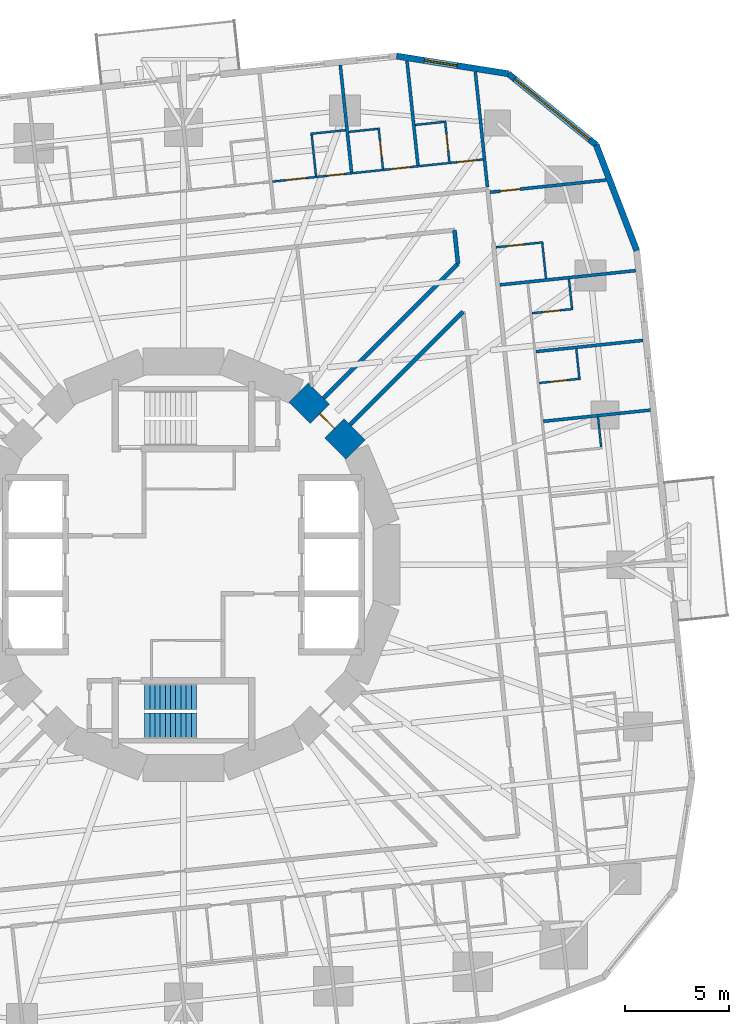
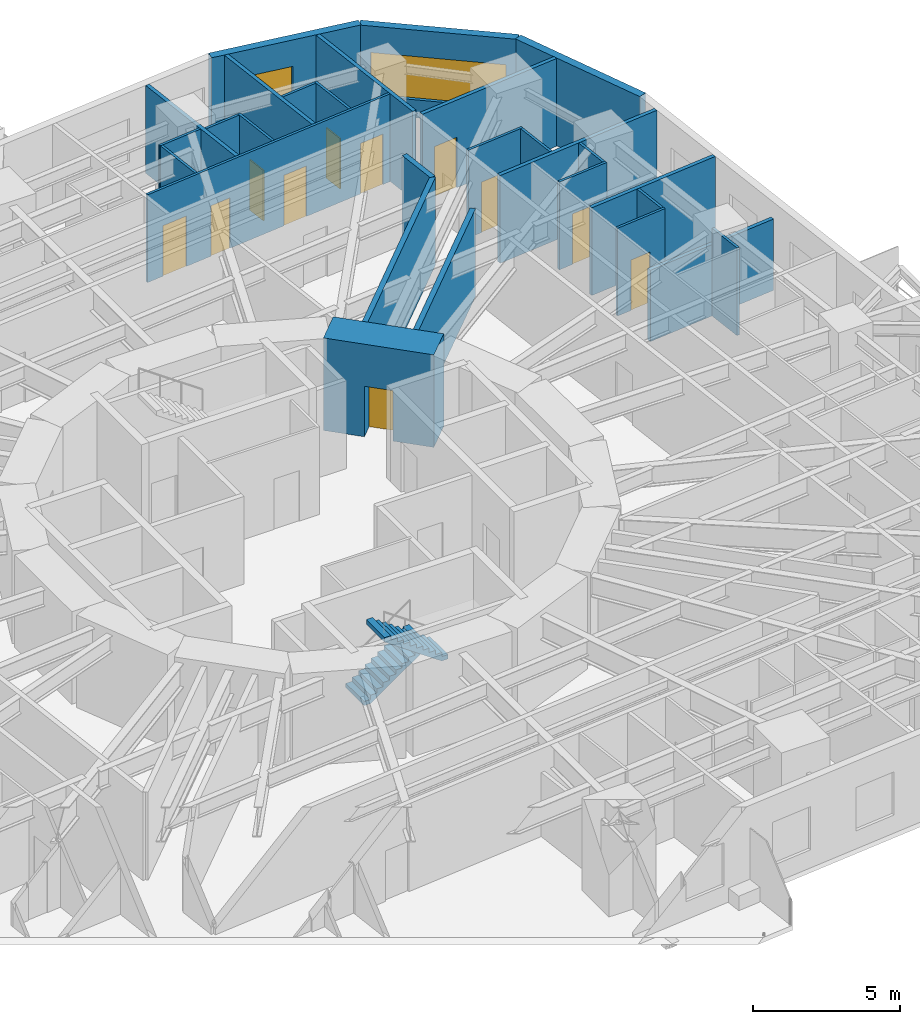
# One storey, part 12 of 15: 28 walls, 11 doors, 2 stair flights, 2 windows, 13 openings, 1 element without a shape of its own.
"""IFC4 building model written with IfcOpenShell, lengths in metres."""

from ifc_helpers import new_model, si_unit, direction, frame, frame_2d, origin, place, context, subcontext, project, spatial, polyline, rectangle, outline, extrude, material, layer, layer_set, type_object, element, fill, aggregate, save


model = new_model("IFC4")

# Units and contexts
model_context = context("Model", 3, precision=1e-05, world=origin(), true_north=direction((0.0, 1.0)))
body_context = subcontext(model_context, "Body", "Model", "MODEL_VIEW")
ifc_project = project(units=[si_unit("LENGTHUNIT", "METRE"), si_unit("AREAUNIT", "SQUARE_METRE"), si_unit("VOLUMEUNIT", "CUBIC_METRE"), si_unit("PLANEANGLEUNIT", "RADIAN"), si_unit("MASSUNIT", "GRAM", prefix="KILO")], contexts=[model_context])

# Site, building, storey
site_placement = place(None, origin())
site = spatial("IfcSite", under=ifc_project, at=site_placement, CompositionType="ELEMENT")
building_placement = place(site_placement, origin())
building = spatial("IfcBuilding", under=site, at=building_placement, Name="Nakasero Lantern House", CompositionType="ELEMENT")
storey_placement = place(building_placement, frame((0.0, 0.0, 64.35009765625)))
storey = spatial("IfcBuildingStorey", under=building, at=storey_placement, Name="L15", CompositionType="ELEMENT", Elevation=64.35009765625)

# Wall, openings, doors
ifc_material_1 = material(Name="Blockwork", Category="masonry")
ifc_layer_1 = layer(ifc_material_1, 0.10009765625)
ifc_layer_set_1 = layer_set([ifc_layer_1], Name="Cluster hall wall 100")
wall_type_1 = type_object("IfcWallType", Name="Cluster hall wall 100", PredefinedType="PARTITIONING", material=ifc_layer_set_1)
wall_1_placement = place(storey_placement, frame((14.458740234375, 19.568603515625, 0.0), z_axis=(0.0, 0.0, 1.0), x_axis=(-0.994520493056, -0.104541804513, 0.0)))
wall_1 = element("IfcWall", 1, at=wall_1_placement, inside=storey, type_object=wall_type_1, Name="Cluster hall wall L15 HW1-0", PredefinedType="PARTITIONING", context=body_context, shape_type="SweptSolid", body=[
    extrude(rectangle(XDim=10.2216796875, YDim=0.10009765625, at=frame_2d((5.11083984375, 0.0))), origin(), (0.0, 0.0, 1.0), 3.64990234375),
])
opening_1_placement = place(wall_1_placement, frame((8.57568359375, 0.0, 0.0)))
opening_1 = element("IfcOpeningElement", 2, at=opening_1_placement, cuts=wall_1, Name="Opening D03", PredefinedType="OPENING", context=body_context, shape_type="SweptSolid", body=[
    extrude(rectangle(XDim=1.0, YDim=2.10009765625, at=frame_2d((0.5, 1.050048828125))), frame((0.0, 0.070068359375, 0.0), z_axis=(0.0, -1.0, 0.0), x_axis=(1.0, 0.0, 0.0)), (0.0, 0.0, 1.0), 0.14013671875),
])
opening_2_placement = place(wall_1_placement, frame((6.75048828125, 0.0, 0.0)))
opening_2 = element("IfcOpeningElement", 3, at=opening_2_placement, cuts=wall_1, Name="Opening D02", PredefinedType="OPENING", context=body_context, shape_type="SweptSolid", body=[
    extrude(rectangle(XDim=0.800048828125, YDim=2.10009765625, at=frame_2d((0.39990234375, 1.050048828125))), frame((0.0, 0.070068359375, 0.0), z_axis=(0.0, -1.0, 0.0), x_axis=(1.0, 0.0, 0.0)), (0.0, 0.0, 1.0), 0.14013671875),
])
opening_3_placement = place(wall_1_placement, frame((0.300048828125, 0.0, 0.0)))
opening_3 = element("IfcOpeningElement", 4, at=opening_3_placement, cuts=wall_1, Name="Opening D01", PredefinedType="OPENING", context=body_context, shape_type="SweptSolid", body=[
    extrude(rectangle(XDim=0.949951171875, YDim=2.10009765625, at=frame_2d((0.47509765625, 1.050048828125))), frame((0.0, 0.070068359375, 0.0), z_axis=(0.0, -1.0, 0.0), x_axis=(1.0, 0.0, 0.0)), (0.0, 0.0, 1.0), 0.14013671875),
])
opening_4_placement = place(wall_1_placement, frame((3.525390625, 0.0, 0.0)))
opening_4 = element("IfcOpeningElement", 5, at=opening_4_placement, cuts=wall_1, Name="Opening D01", PredefinedType="OPENING", context=body_context, shape_type="SweptSolid", body=[
    extrude(rectangle(XDim=0.949951171875, YDim=2.10009765625, at=frame_2d((0.47509765625, 1.050048828125))), frame((0.0, 0.070068359375, 0.0), z_axis=(0.0, -1.0, 0.0), x_axis=(1.0, 0.0, 0.0)), (0.0, 0.0, 1.0), 0.14013671875),
])
ifc_material_2 = material(Name="Timber C24", Category="wood")
door_type_1 = type_object("IfcDoorType", Name="Bedroom door FD30S 950", OperationType="SINGLE_SWING_LEFT", PredefinedType="DOOR", material=ifc_material_2)
door_1_placement = place(opening_3_placement, origin())
door_1 = element("IfcDoor", 6, at=door_1_placement, inside=storey, type_object=door_type_1, Name="Door L15 D1-00", OperationType="SINGLE_SWING_LEFT", OverallHeight=2.10009765625, OverallWidth=0.949951171875, PredefinedType="DOOR", context=body_context, shape_type="SweptSolid", body=[
    extrude(rectangle(XDim=0.949951171875, YDim=2.10009765625, at=frame_2d((0.47509765625, 1.050048828125))), frame((0.0, 0.02490234375, 0.0), z_axis=(0.0, -1.0, 0.0), x_axis=(1.0, 0.0, 0.0)), (0.0, 0.0, 1.0), 0.050048828125),
])
fill(opening_3, door_1)
door_2_placement = place(opening_4_placement, origin())
door_2 = element("IfcDoor", 7, at=door_2_placement, inside=storey, type_object=door_type_1, Name="Door L15 D1-01", OperationType="SINGLE_SWING_LEFT", OverallHeight=2.10009765625, OverallWidth=0.949951171875, PredefinedType="DOOR", context=body_context, shape_type="SweptSolid", body=[
    extrude(rectangle(XDim=0.949951171875, YDim=2.10009765625, at=frame_2d((0.47509765625, 1.050048828125))), frame((0.0, 0.02490234375, 0.0), z_axis=(0.0, -1.0, 0.0), x_axis=(1.0, 0.0, 0.0)), (0.0, 0.0, 1.0), 0.050048828125),
])
fill(opening_4, door_2)
ifc_material_3 = material(Name="Timber C24", Category="wood")
door_type_2 = type_object("IfcDoorType", Name="En-suite door 800", OperationType="SINGLE_SWING_RIGHT", PredefinedType="DOOR", material=ifc_material_3)
door_3_placement = place(opening_2_placement, origin())
door_3 = element("IfcDoor", 8, at=door_3_placement, inside=storey, type_object=door_type_2, Name="Door L15 DSH1-0", OperationType="SINGLE_SWING_RIGHT", OverallHeight=2.10009765625, OverallWidth=0.800048828125, PredefinedType="DOOR", context=body_context, shape_type="SweptSolid", body=[
    extrude(rectangle(XDim=0.800048828125, YDim=2.10009765625, at=frame_2d((0.39990234375, 1.050048828125))), frame((0.0, 0.02490234375, 0.0), z_axis=(0.0, -1.0, 0.0), x_axis=(1.0, 0.0, 0.0)), (0.0, 0.0, 1.0), 0.050048828125),
])
fill(opening_2, door_3)
ifc_material_4 = material(Name="Timber C24", Category="wood")
door_type_3 = type_object("IfcDoorType", Name="Lounge door FD30S 1000", OperationType="SINGLE_SWING_LEFT", PredefinedType="DOOR", material=ifc_material_4)
door_4_placement = place(opening_1_placement, origin())
door_4 = element("IfcDoor", 9, at=door_4_placement, inside=storey, type_object=door_type_3, Name="Door L15 DH1-0", OperationType="SINGLE_SWING_RIGHT", OverallHeight=2.10009765625, OverallWidth=1.0, PredefinedType="DOOR", context=body_context, shape_type="SweptSolid", body=[
    extrude(rectangle(XDim=1.0, YDim=2.10009765625, at=frame_2d((0.5, 1.050048828125))), frame((0.0, 0.02490234375, 0.0), z_axis=(0.0, -1.0, 0.0), x_axis=(1.0, 0.0, 0.0)), (0.0, 0.0, 1.0), 0.050048828125),
])
fill(opening_1, door_4)

# Wall, opening, door
ifc_material_5 = material(Name="Concrete C50/60", Category="concrete")
ifc_layer_2 = layer(ifc_material_5, 1.300048828125)
ifc_layer_set_2 = layer_set([ifc_layer_2], Name="Core wall 1300")
wall_type_2 = type_object("IfcWallType", Name="Core wall 1300", PredefinedType="SHEAR", material=ifc_layer_set_2)
wall_2_placement = place(storey_placement, frame((8.314697265625, 5.5556640625, 0.0), z_axis=(0.0, 0.0, 1.0), x_axis=(-0.707106781187, 0.707106781187, 0.0)))
wall_2 = element("IfcWall", 10, at=wall_2_placement, inside=storey, type_object=wall_type_2, Name="Core wall L15 facet 2", PredefinedType="SHEAR", context=body_context, shape_type="SweptSolid", body=[
    extrude(rectangle(XDim=3.90185546875, YDim=1.300048828125, at=frame_2d((1.950927734375, 0.0))), origin(), (0.0, 0.0, 1.0), 3.849853515625),
])
opening_5_placement = place(wall_2_placement, frame((1.450927734375, 0.0, 0.0)))
opening_5 = element("IfcOpeningElement", 11, at=opening_5_placement, cuts=wall_2, Name="Opening D05", PredefinedType="OPENING", context=body_context, shape_type="SweptSolid", body=[
    extrude(rectangle(XDim=1.0, YDim=2.10009765625, at=frame_2d((0.5, 1.050048828125))), frame((0.0, 0.669921875, 0.0), z_axis=(0.0, -1.0, 0.0), x_axis=(1.0, 0.0, 0.0)), (0.0, 0.0, 1.0), 1.340087890625),
])
ifc_material_6 = material(Name="Timber C24", Category="wood")
door_type_4 = type_object("IfcDoorType", Name="Core door FD60S 1000", OperationType="SINGLE_SWING_LEFT", PredefinedType="DOOR", material=ifc_material_6)
door_5_placement = place(opening_5_placement, origin())
door_5 = element("IfcDoor", 12, at=door_5_placement, inside=storey, type_object=door_type_4, Name="Door L15 D-CORE02", OperationType="SINGLE_SWING_LEFT", OverallHeight=2.10009765625, OverallWidth=1.0, PredefinedType="DOOR", context=body_context, shape_type="SweptSolid", body=[
    extrude(rectangle(XDim=1.0, YDim=2.10009765625, at=frame_2d((0.5, 1.050048828125))), frame((0.0, 0.02490234375, 0.0), z_axis=(0.0, -1.0, 0.0), x_axis=(1.0, 0.0, 0.0)), (0.0, 0.0, 1.0), 0.050048828125),
])
fill(opening_5, door_5)

# Walls
ifc_material_7 = material(Name="Blockwork", Category="masonry")
ifc_layer_3 = layer(ifc_material_7, 0.199951171875)
ifc_layer_set_3 = layer_set([ifc_layer_3], Name="Corridor wall 200")
wall_type_3 = type_object("IfcWallType", Name="Corridor wall 200", PredefinedType="PARTITIONING", material=ifc_layer_set_3)
wall_3_placement = place(storey_placement, frame((13.254150390625, 14.52685546875, 0.0), z_axis=(0.0, 0.0, 1.0), x_axis=(-0.104475313001, 0.99452748025, 0.0)))
element("IfcWall", 13, at=wall_3_placement, inside=storey, type_object=wall_type_3, Name="Corridor wall L15 IW0-1", PredefinedType="PARTITIONING", context=body_context, shape_type="SweptSolid", body=[
    extrude(rectangle(XDim=1.63818359375, YDim=0.199951171875, at=frame_2d((0.819091796875, 0.0))), origin(), (0.0, 0.0, 1.0), 3.64990234375),
])
wall_4_placement = place(storey_placement, frame((6.758544921875, 8.03125, 0.0), z_axis=(0.0, 0.0, 1.0), x_axis=(0.707106781187, 0.707106781187, 0.0)))
element("IfcWall", 14, at=wall_4_placement, inside=storey, type_object=wall_type_3, Name="Corridor wall L15 PS02a", PredefinedType="PARTITIONING", context=body_context, shape_type="SweptSolid", body=[
    extrude(rectangle(XDim=9.186279296875, YDim=0.199951171875, at=frame_2d((4.59326171875, 0.0))), origin(), (0.0, 0.0, 1.0), 3.64990234375),
])
wall_5_placement = place(storey_placement, frame((8.03125, 6.758544921875, 0.0), z_axis=(0.0, 0.0, 1.0), x_axis=(0.707122575573, 0.707090986447, 0.0)))
element("IfcWall", 15, at=wall_5_placement, inside=storey, type_object=wall_type_3, Name="Corridor wall L15 PS02b", PredefinedType="PARTITIONING", context=body_context, shape_type="SweptSolid", body=[
    extrude(rectangle(XDim=7.728515625, YDim=0.199951171875, at=frame_2d((3.8642578125, 0.0))), origin(), (0.0, 0.0, 1.0), 3.64990234375),
])
ifc_material_8 = material(Name="Blockwork", Category="masonry")
ifc_layer_4 = layer(ifc_material_8, 0.10009765625)
ifc_layer_set_4 = layer_set([ifc_layer_4], Name="En-suite wall 100")
wall_type_4 = type_object("IfcWallType", Name="En-suite wall 100", PredefinedType="PARTITIONING", material=ifc_layer_set_4)
wall_6_placement = place(storey_placement, frame((20.166259765625, 5.68408203125, 0.0), z_axis=(0.0, 0.0, 1.0), x_axis=(-0.10455332221, 0.994519282274, 0.0)))
element("IfcWall", 16, at=wall_6_placement, inside=storey, type_object=wall_type_4, Name="En-suite wall L15 EE0-05", PredefinedType="PARTITIONING", context=body_context, shape_type="SweptSolid", body=[
    extrude(rectangle(XDim=1.4501953125, YDim=0.10009765625, at=frame_2d((0.72509765625, 0.0))), origin(), (0.0, 0.0, 1.0), 3.64990234375),
])

# Wall, opening, door
wall_7_placement = place(storey_placement, frame((17.177001953125, 8.774169921875, 0.0), z_axis=(0.0, 0.0, 1.0), x_axis=(0.99452550138, 0.104494148666, 0.0)))
wall_7 = element("IfcWall", 17, at=wall_7_placement, inside=storey, type_object=wall_type_4, Name="En-suite wall L15 ES0-06", PredefinedType="PARTITIONING", context=body_context, shape_type="SweptSolid", body=[
    extrude(rectangle(XDim=2.0, YDim=0.10009765625, at=frame_2d((1.0, 0.0))), origin(), (0.0, 0.0, 1.0), 3.64990234375),
])
opening_6_placement = place(wall_7_placement, frame((0.550048828125, 0.0, 0.0)))
opening_6 = element("IfcOpeningElement", 18, at=opening_6_placement, cuts=wall_7, Name="Opening D02", PredefinedType="OPENING", context=body_context, shape_type="SweptSolid", body=[
    extrude(rectangle(XDim=0.800048828125, YDim=2.10009765625, at=frame_2d((0.39990234375, 1.050048828125))), frame((0.0, 0.070068359375, 0.0), z_axis=(0.0, -1.0, 0.0), x_axis=(1.0, 0.0, 0.0)), (0.0, 0.0, 1.0), 0.14013671875),
])
door_6_placement = place(opening_6_placement, origin())
door_6 = element("IfcDoor", 19, at=door_6_placement, inside=storey, type_object=door_type_2, Name="Door L15 DE0-06", OperationType="SINGLE_SWING_LEFT", OverallHeight=2.10009765625, OverallWidth=0.800048828125, PredefinedType="DOOR", context=body_context, shape_type="SweptSolid", body=[
    extrude(rectangle(XDim=0.800048828125, YDim=2.10009765625, at=frame_2d((0.39990234375, 1.050048828125))), frame((0.0, 0.02490234375, 0.0), z_axis=(0.0, -1.0, 0.0), x_axis=(1.0, 0.0, 0.0)), (0.0, 0.0, 1.0), 0.050048828125),
])
fill(opening_6, door_6)

# Wall
wall_8_placement = place(storey_placement, frame((19.111083984375, 9.027587890625, 0.0), z_axis=(0.0, 0.0, 1.0), x_axis=(-0.104630319263, 0.994511184598, 0.0)))
element("IfcWall", 20, at=wall_8_placement, inside=storey, type_object=wall_type_4, Name="En-suite wall L15 EE0-06", PredefinedType="PARTITIONING", context=body_context, shape_type="SweptSolid", body=[
    extrude(rectangle(XDim=1.39990234375, YDim=0.10009765625, at=frame_2d((0.699951171875, 0.0))), origin(), (0.0, 0.0, 1.0), 3.64990234375),
])

# Wall, opening, door
wall_9_placement = place(storey_placement, frame((16.822998046875, 12.14111328125, 0.0), z_axis=(0.0, 0.0, 1.0), x_axis=(0.99452550138, 0.104494148666, 0.0)))
wall_9 = element("IfcWall", 21, at=wall_9_placement, inside=storey, type_object=wall_type_4, Name="En-suite wall L15 ES0-07", PredefinedType="PARTITIONING", context=body_context, shape_type="SweptSolid", body=[
    extrude(rectangle(XDim=2.0, YDim=0.10009765625, at=frame_2d((1.0, 0.0))), origin(), (0.0, 0.0, 1.0), 3.64990234375),
])
opening_7_placement = place(wall_9_placement, frame((0.550048828125, 0.0, 0.0)))
opening_7 = element("IfcOpeningElement", 22, at=opening_7_placement, cuts=wall_9, Name="Opening D02", PredefinedType="OPENING", context=body_context, shape_type="SweptSolid", body=[
    extrude(rectangle(XDim=0.800048828125, YDim=2.10009765625, at=frame_2d((0.39990234375, 1.050048828125))), frame((0.0, 0.070068359375, 0.0), z_axis=(0.0, -1.0, 0.0), x_axis=(1.0, 0.0, 0.0)), (0.0, 0.0, 1.0), 0.14013671875),
])
door_7_placement = place(opening_7_placement, origin())
door_7 = element("IfcDoor", 23, at=door_7_placement, inside=storey, type_object=door_type_2, Name="Door L15 DE0-07", OperationType="SINGLE_SWING_LEFT", OverallHeight=2.10009765625, OverallWidth=0.800048828125, PredefinedType="DOOR", context=body_context, shape_type="SweptSolid", body=[
    extrude(rectangle(XDim=0.800048828125, YDim=2.10009765625, at=frame_2d((0.39990234375, 1.050048828125))), frame((0.0, 0.02490234375, 0.0), z_axis=(0.0, -1.0, 0.0), x_axis=(1.0, 0.0, 0.0)), (0.0, 0.0, 1.0), 0.050048828125),
])
fill(opening_7, door_7)

# Wall
wall_10_placement = place(storey_placement, frame((18.757080078125, 12.394775390625, 0.0), z_axis=(0.0, 0.0, 1.0), x_axis=(-0.104457839748, 0.994529315664, 0.0)))
element("IfcWall", 24, at=wall_10_placement, inside=storey, type_object=wall_type_4, Name="En-suite wall L15 EE0-07", PredefinedType="PARTITIONING", context=body_context, shape_type="SweptSolid", body=[
    extrude(rectangle(XDim=1.39990234375, YDim=0.10009765625, at=frame_2d((0.699951171875, 0.0))), origin(), (0.0, 0.0, 1.0), 3.64990234375),
])

# Wall, opening, door
wall_11_placement = place(storey_placement, frame((15.08056640625, 15.326416015625, 0.0), z_axis=(0.0, 0.0, 1.0), x_axis=(0.994518822602, 0.104557694553, 0.0)))
wall_11 = element("IfcWall", 25, at=wall_11_placement, inside=storey, type_object=wall_type_4, Name="En-suite wall L15 ES0-08", PredefinedType="PARTITIONING", context=body_context, shape_type="SweptSolid", body=[
    extrude(rectangle(XDim=2.300048828125, YDim=0.10009765625, at=frame_2d((1.14990234375, 0.0))), origin(), (0.0, 0.0, 1.0), 3.64990234375),
])
opening_8_placement = place(wall_11_placement, frame((0.550048828125, 0.0, 0.0)))
opening_8 = element("IfcOpeningElement", 26, at=opening_8_placement, cuts=wall_11, Name="Opening D02", PredefinedType="OPENING", context=body_context, shape_type="SweptSolid", body=[
    extrude(rectangle(XDim=0.800048828125, YDim=2.10009765625, at=frame_2d((0.39990234375, 1.050048828125))), frame((0.0, 0.070068359375, 0.0), z_axis=(0.0, -1.0, 0.0), x_axis=(1.0, 0.0, 0.0)), (0.0, 0.0, 1.0), 0.14013671875),
])
door_8_placement = place(opening_8_placement, origin())
door_8 = element("IfcDoor", 27, at=door_8_placement, inside=storey, type_object=door_type_2, Name="Door L15 DE0-08", OperationType="SINGLE_SWING_LEFT", OverallHeight=2.10009765625, OverallWidth=0.800048828125, PredefinedType="DOOR", context=body_context, shape_type="SweptSolid", body=[
    extrude(rectangle(XDim=0.800048828125, YDim=2.10009765625, at=frame_2d((0.39990234375, 1.050048828125))), frame((0.0, 0.02490234375, 0.0), z_axis=(0.0, -1.0, 0.0), x_axis=(1.0, 0.0, 0.0)), (0.0, 0.0, 1.0), 0.050048828125),
])
fill(opening_8, door_8)

# Walls
wall_12_placement = place(storey_placement, frame((17.501220703125, 13.8212890625, 0.0), z_axis=(0.0, 0.0, 1.0), x_axis=(-0.104550220202, 0.994519608382, 0.0)))
element("IfcWall", 28, at=wall_12_placement, inside=storey, type_object=wall_type_4, Name="En-suite wall L15 EE0-08", PredefinedType="PARTITIONING", context=body_context, shape_type="SweptSolid", body=[
    extrude(rectangle(XDim=1.699951171875, YDim=0.10009765625, at=frame_2d((0.85009765625, 0.0))), origin(), (0.0, 0.0, 1.0), 3.64990234375),
])
wall_13_placement = place(storey_placement, frame((6.397216796875, 18.771484375, 0.0), z_axis=(0.0, 0.0, 1.0), x_axis=(-0.104509292252, 0.994523910136, 0.0)))
element("IfcWall", 29, at=wall_13_placement, inside=storey, type_object=wall_type_4, Name="En-suite wall L15 SS1-0", PredefinedType="PARTITIONING", context=body_context, shape_type="SweptSolid", body=[
    extrude(rectangle(XDim=2.10009765625, YDim=0.10009765625, at=frame_2d((1.050048828125, 0.0))), origin(), (0.0, 0.0, 1.0), 3.64990234375),
])
wall_14_placement = place(storey_placement, frame((7.823974609375, 20.982666015625, 0.0), z_axis=(0.0, 0.0, 1.0), x_axis=(-0.994534530939, -0.104408173862, 0.0)))
element("IfcWall", 30, at=wall_14_placement, inside=storey, type_object=wall_type_4, Name="En-suite wall L15 SE1-0", PredefinedType="PARTITIONING", context=body_context, shape_type="SweptSolid", body=[
    extrude(rectangle(XDim=1.699951171875, YDim=0.10009765625, at=frame_2d((0.85009765625, 0.0))), origin(), (0.0, 0.0, 1.0), 3.64990234375),
])

# Wall, opening, door
wall_15_placement = place(storey_placement, frame((12.837158203125, 19.448486328125, 0.0), z_axis=(0.0, 0.0, 1.0), x_axis=(-0.104494148666, 0.99452550138, 0.0)))
wall_15 = element("IfcWall", 31, at=wall_15_placement, inside=storey, type_object=wall_type_4, Name="En-suite wall L15 ES1-00", PredefinedType="PARTITIONING", context=body_context, shape_type="SweptSolid", body=[
    extrude(rectangle(XDim=2.0, YDim=0.10009765625, at=frame_2d((1.0, 0.0))), origin(), (0.0, 0.0, 1.0), 3.64990234375),
])
opening_9_placement = place(wall_15_placement, frame((0.550048828125, 0.0, 0.0)))
opening_9 = element("IfcOpeningElement", 32, at=opening_9_placement, cuts=wall_15, Name="Opening D02", PredefinedType="OPENING", context=body_context, shape_type="SweptSolid", body=[
    extrude(rectangle(XDim=0.800048828125, YDim=2.10009765625, at=frame_2d((0.39990234375, 1.050048828125))), frame((0.0, 0.070068359375, 0.0), z_axis=(0.0, -1.0, 0.0), x_axis=(1.0, 0.0, 0.0)), (0.0, 0.0, 1.0), 0.14013671875),
])
door_9_placement = place(opening_9_placement, origin())
door_9 = element("IfcDoor", 33, at=door_9_placement, inside=storey, type_object=door_type_2, Name="Door L15 DE1-00", OperationType="SINGLE_SWING_LEFT", OverallHeight=2.10009765625, OverallWidth=0.800048828125, PredefinedType="DOOR", context=body_context, shape_type="SweptSolid", body=[
    extrude(rectangle(XDim=0.800048828125, YDim=2.10009765625, at=frame_2d((0.39990234375, 1.050048828125))), frame((0.0, 0.02490234375, 0.0), z_axis=(0.0, -1.0, 0.0), x_axis=(1.0, 0.0, 0.0)), (0.0, 0.0, 1.0), 0.050048828125),
])
fill(opening_9, door_9)

# Wall
wall_16_placement = place(storey_placement, frame((12.58349609375, 21.382568359375, 0.0), z_axis=(0.0, 0.0, 1.0), x_axis=(-0.994511184598, -0.104630319263, 0.0)))
element("IfcWall", 34, at=wall_16_placement, inside=storey, type_object=wall_type_4, Name="En-suite wall L15 EE1-00", PredefinedType="PARTITIONING", context=body_context, shape_type="SweptSolid", body=[
    extrude(rectangle(XDim=1.39990234375, YDim=0.10009765625, at=frame_2d((0.699951171875, 0.0))), origin(), (0.0, 0.0, 1.0), 3.64990234375),
])

# Wall, opening, door
wall_17_placement = place(storey_placement, frame((9.62939453125, 19.111328125, 0.0), z_axis=(0.0, 0.0, 1.0), x_axis=(-0.104494148666, 0.99452550138, 0.0)))
wall_17 = element("IfcWall", 35, at=wall_17_placement, inside=storey, type_object=wall_type_4, Name="En-suite wall L15 ES1-01", PredefinedType="PARTITIONING", context=body_context, shape_type="SweptSolid", body=[
    extrude(rectangle(XDim=2.0, YDim=0.10009765625, at=frame_2d((1.0, 0.0))), origin(), (0.0, 0.0, 1.0), 3.64990234375),
])
opening_10_placement = place(wall_17_placement, frame((0.550048828125, 0.0, 0.0)))
opening_10 = element("IfcOpeningElement", 36, at=opening_10_placement, cuts=wall_17, Name="Opening D02", PredefinedType="OPENING", context=body_context, shape_type="SweptSolid", body=[
    extrude(rectangle(XDim=0.800048828125, YDim=2.10009765625, at=frame_2d((0.39990234375, 1.050048828125))), frame((0.0, 0.070068359375, 0.0), z_axis=(0.0, -1.0, 0.0), x_axis=(1.0, 0.0, 0.0)), (0.0, 0.0, 1.0), 0.14013671875),
])
door_10_placement = place(opening_10_placement, origin())
door_10 = element("IfcDoor", 37, at=door_10_placement, inside=storey, type_object=door_type_2, Name="Door L15 DE1-01", OperationType="SINGLE_SWING_LEFT", OverallHeight=2.10009765625, OverallWidth=0.800048828125, PredefinedType="DOOR", context=body_context, shape_type="SweptSolid", body=[
    extrude(rectangle(XDim=0.800048828125, YDim=2.10009765625, at=frame_2d((0.39990234375, 1.050048828125))), frame((0.0, 0.02490234375, 0.0), z_axis=(0.0, -1.0, 0.0), x_axis=(1.0, 0.0, 0.0)), (0.0, 0.0, 1.0), 0.050048828125),
])
fill(opening_10, door_10)

# Walls
wall_18_placement = place(storey_placement, frame((9.3759765625, 21.04541015625, 0.0), z_axis=(0.0, 0.0, 1.0), x_axis=(-0.994511184598, -0.104630319263, 0.0)))
element("IfcWall", 38, at=wall_18_placement, inside=storey, type_object=wall_type_4, Name="En-suite wall L15 EE1-01", PredefinedType="PARTITIONING", context=body_context, shape_type="SweptSolid", body=[
    extrude(rectangle(XDim=1.39990234375, YDim=0.10009765625, at=frame_2d((0.699951171875, 0.0))), origin(), (0.0, 0.0, 1.0), 3.64990234375),
])
ifc_material_9 = material(Name="Aluminium rainscreen on blockwork", Category="masonry")
ifc_layer_5 = layer(ifc_material_9, 0.300048828125)
ifc_layer_set_5 = layer_set([ifc_layer_5], Name="Facade wall 300")
wall_type_5 = type_object("IfcWallType", Name="Facade wall 300", PredefinedType="SOLIDWALL", material=ifc_layer_set_5)
wall_19_placement = place(storey_placement, frame((21.884033203125, 15.170654296875, 0.0), z_axis=(0.0, 0.0, 1.0), x_axis=(-0.358358884793, 0.933583906079, 0.0)))
element("IfcWall", 39, at=wall_19_placement, inside=storey, type_object=wall_type_5, Name="Facade wall L15 FW0C1", PredefinedType="SOLIDWALL", context=body_context, shape_type="SweptSolid", body=[
    extrude(rectangle(XDim=5.461181640625, YDim=0.300048828125, at=frame_2d((2.73046875, 0.0))), origin(), (0.0, 0.0, 1.0), 3.64990234375),
])

# Wall, opening, window
wall_20_placement = place(storey_placement, frame((19.927001953125, 20.26904296875, 0.0), z_axis=(0.0, 0.0, 1.0), x_axis=(-0.777134500863, 0.629334543442, 0.0)))
wall_20 = element("IfcWall", 40, at=wall_20_placement, inside=storey, type_object=wall_type_5, Name="Facade wall L15 FW0C2", PredefinedType="SOLIDWALL", context=body_context, shape_type="SweptSolid", body=[
    extrude(rectangle(XDim=5.4609375, YDim=0.300048828125, at=frame_2d((2.73046875, 0.0))), origin(), (0.0, 0.0, 1.0), 3.64990234375),
])
opening_11_placement = place(wall_20_placement, frame((0.39990234375, 0.0, 0.75)))
opening_11 = element("IfcOpeningElement", 41, at=opening_11_placement, cuts=wall_20, Name="Opening W246", PredefinedType="OPENING", context=body_context, shape_type="SweptSolid", body=[
    extrude(rectangle(XDim=4.660888671875, YDim=1.800048828125, at=frame_2d((2.33056640625, 0.89990234375))), frame((0.0, 0.169921875, 0.0), z_axis=(0.0, -1.0, 0.0), x_axis=(1.0, 0.0, 0.0)), (0.0, 0.0, 1.0), 0.340087890625),
])
ifc_material_10 = material(Name="Aluminium 6063-T6 and glass", Category="aluminium")
window_type_1 = type_object("IfcWindowType", Name="Corner window 4661x1800", PartitioningType="SINGLE_PANEL", PredefinedType="WINDOW", material=ifc_material_10)
window_1_placement = place(opening_11_placement, origin())
window_1 = element("IfcWindow", 42, at=window_1_placement, inside=storey, type_object=window_type_1, Name="Window L15 WC0", OverallHeight=1.800048828125, OverallWidth=4.660888671875, PartitioningType="SINGLE_PANEL", PredefinedType="WINDOW", context=body_context, shape_type="SweptSolid", body=[
    extrude(rectangle(XDim=4.660888671875, YDim=1.800048828125, at=frame_2d((2.33056640625, 0.89990234375))), frame((0.0, 0.030029296875, 0.0), z_axis=(0.0, -1.0, 0.0), x_axis=(1.0, 0.0, 0.0)), (0.0, 0.0, 1.0), 0.06005859375),
])
fill(opening_11, window_1)

wall_21_placement = place(storey_placement, frame((15.68310546875, 23.705810546875, 0.0), z_axis=(0.0, 0.0, 1.0), x_axis=(-0.987690729142, 0.156419383601, 0.0)))
wall_21 = element("IfcWall", 43, at=wall_21_placement, inside=storey, type_object=wall_type_5, Name="Facade wall L15 FW0C3", PredefinedType="SOLIDWALL", context=body_context, shape_type="SweptSolid", body=[
    extrude(rectangle(XDim=5.461181640625, YDim=0.300048828125, at=frame_2d((2.73046875, 0.0))), origin(), (0.0, 0.0, 1.0), 3.64990234375),
])
opening_12_placement = place(wall_21_placement, frame((2.5, 0.0, 0.75)))
opening_12 = element("IfcOpeningElement", 44, at=opening_12_placement, cuts=wall_21, Name="Opening W01", PredefinedType="OPENING", context=body_context, shape_type="SweptSolid", body=[
    extrude(rectangle(XDim=1.60009765625, YDim=1.800048828125, at=frame_2d((0.800048828125, 0.89990234375))), frame((0.0, 0.169921875, 0.0), z_axis=(0.0, -1.0, 0.0), x_axis=(1.0, 0.0, 0.0)), (0.0, 0.0, 1.0), 0.340087890625),
])
ifc_material_11 = material(Name="Aluminium 6063-T6 and glass", Category="aluminium")
window_type_2 = type_object("IfcWindowType", Name="Bedroom window 1600x1800", PartitioningType="SINGLE_PANEL", PredefinedType="WINDOW", material=ifc_material_11)
window_2_placement = place(opening_12_placement, origin())
window_2 = element("IfcWindow", 45, at=window_2_placement, inside=storey, type_object=window_type_2, Name="Window L15 WN1-00", OverallHeight=1.800048828125, OverallWidth=1.60009765625, PartitioningType="SINGLE_PANEL", PredefinedType="WINDOW", context=body_context, shape_type="SweptSolid", body=[
    extrude(rectangle(XDim=1.60009765625, YDim=1.800048828125, at=frame_2d((0.800048828125, 0.89990234375))), frame((0.0, 0.030029296875, 0.0), z_axis=(0.0, -1.0, 0.0), x_axis=(1.0, 0.0, 0.0)), (0.0, 0.0, 1.0), 0.06005859375),
])
fill(opening_12, window_2)

# Walls
ifc_material_12 = material(Name="Blockwork", Category="masonry")
ifc_layer_6 = layer(ifc_material_12, 0.14990234375)
ifc_layer_set_6 = layer_set([ifc_layer_6], Name="Party wall 150")
wall_type_6 = type_object("IfcWallType", Name="Party wall 150", PredefinedType="PARTITIONING", material=ifc_layer_set_6)
wall_22_placement = place(storey_placement, frame((17.371337890625, 6.923828125, 0.0), z_axis=(0.0, 0.0, 1.0), x_axis=(0.994523959761, 0.104508820017, 0.0)))
element("IfcWall", 46, at=wall_22_placement, inside=storey, type_object=wall_type_6, Name="Party wall L15 PW0-06", PredefinedType="PARTITIONING", context=body_context, shape_type="SweptSolid", body=[
    extrude(rectangle(XDim=5.2001953125, YDim=0.14990234375, at=frame_2d((2.60009765625, 0.0))), origin(), (0.0, 0.0, 1.0), 2.96630859375),
])
wall_23_placement = place(storey_placement, frame((17.017578125, 10.290771484375, 0.0), z_axis=(0.0, 0.0, 1.0), x_axis=(0.994523446942, 0.104513699976, 0.0)))
element("IfcWall", 47, at=wall_23_placement, inside=storey, type_object=wall_type_6, Name="Party wall L15 PW0-07", PredefinedType="PARTITIONING", context=body_context, shape_type="SweptSolid", body=[
    extrude(rectangle(XDim=5.199951171875, YDim=0.14990234375, at=frame_2d((2.60009765625, 0.0))), origin(), (0.0, 0.0, 1.0), 3.64990234375),
])
wall_24_placement = place(storey_placement, frame((15.271240234375, 13.511474609375, 0.0), z_axis=(0.0, 0.0, 1.0), x_axis=(0.994521251134, 0.104534592565, 0.0)))
element("IfcWall", 48, at=wall_24_placement, inside=storey, type_object=wall_type_6, Name="Party wall L15 PW0-08", PredefinedType="PARTITIONING", context=body_context, shape_type="SweptSolid", body=[
    extrude(rectangle(XDim=6.60009765625, YDim=0.14990234375, at=frame_2d((3.300048828125, 0.0))), origin(), (0.0, 0.0, 1.0), 3.64990234375),
])

# Wall, opening, door
wall_25_placement = place(storey_placement, frame((14.801025390625, 17.9853515625, 0.0), z_axis=(0.0, 0.0, 1.0), x_axis=(0.994522751177, 0.104520320471, 0.0)))
wall_25 = element("IfcWall", 49, at=wall_25_placement, inside=storey, type_object=wall_type_6, Name="Party wall L15 PC0", PredefinedType="PARTITIONING", context=body_context, shape_type="SweptSolid", body=[
    extrude(rectangle(XDim=5.64111328125, YDim=0.14990234375, at=frame_2d((2.820556640625, 0.0))), origin(), (0.0, 0.0, 1.0), 3.64990234375),
])
opening_13_placement = place(wall_25_placement, frame((0.5, 0.0, 0.0)))
opening_13 = element("IfcOpeningElement", 50, at=opening_13_placement, cuts=wall_25, Name="Opening D01", PredefinedType="OPENING", context=body_context, shape_type="SweptSolid", body=[
    extrude(rectangle(XDim=0.949951171875, YDim=2.10009765625, at=frame_2d((0.47509765625, 1.050048828125))), frame((0.0, 0.094970703125, 0.0), z_axis=(0.0, -1.0, 0.0), x_axis=(1.0, 0.0, 0.0)), (0.0, 0.0, 1.0), 0.18994140625),
])
door_11_placement = place(opening_13_placement, origin())
door_11 = element("IfcDoor", 51, at=door_11_placement, inside=storey, type_object=door_type_1, Name="Door L15 DC0", OperationType="SINGLE_SWING_LEFT", OverallHeight=2.10009765625, OverallWidth=0.949951171875, PredefinedType="DOOR", context=body_context, shape_type="SweptSolid", body=[
    extrude(rectangle(XDim=0.949951171875, YDim=2.10009765625, at=frame_2d((0.47509765625, 1.050048828125))), frame((0.0, 0.02490234375, 0.0), z_axis=(0.0, -1.0, 0.0), x_axis=(1.0, 0.0, 0.0)), (0.0, 0.0, 1.0), 0.050048828125),
])
fill(opening_13, door_11)

# Walls
wall_26_placement = place(storey_placement, frame((14.674560546875, 18.23388671875, 0.0), z_axis=(0.0, 0.0, 1.0), x_axis=(-0.104541754786, 0.994520498284, 0.0)))
element("IfcWall", 52, at=wall_26_placement, inside=storey, type_object=wall_type_6, Name="Party wall L15 PW1-00", PredefinedType="PARTITIONING", context=body_context, shape_type="SweptSolid", body=[
    extrude(rectangle(XDim=5.597900390625, YDim=0.14990234375, at=frame_2d((2.798828125, 0.0))), origin(), (0.0, 0.0, 1.0), 3.64990234375),
])
wall_27_placement = place(storey_placement, frame((11.320556640625, 19.2890625, 0.0), z_axis=(0.0, 0.0, 1.0), x_axis=(-0.104559257608, 0.994518658271, 0.0)))
element("IfcWall", 53, at=wall_27_placement, inside=storey, type_object=wall_type_6, Name="Party wall L15 PW1-01", PredefinedType="PARTITIONING", context=body_context, shape_type="SweptSolid", body=[
    extrude(rectangle(XDim=5.062255859375, YDim=0.14990234375, at=frame_2d((2.53125, 0.0))), origin(), (0.0, 0.0, 1.0), 3.64990234375),
])
wall_28_placement = place(storey_placement, frame((8.11279296875, 18.951904296875, 0.0), z_axis=(0.0, 0.0, 1.0), x_axis=(-0.104513699976, 0.994523446942, 0.0)))
element("IfcWall", 54, at=wall_28_placement, inside=storey, type_object=wall_type_6, Name="Party wall L15 PW1-02", PredefinedType="PARTITIONING", context=body_context, shape_type="SweptSolid", body=[
    extrude(rectangle(XDim=5.199951171875, YDim=0.14990234375, at=frame_2d((2.60009765625, 0.0))), origin(), (0.0, 0.0, 1.0), 3.64990234375),
])

# Stair, stair flights
ifc_material_13 = material(Name="Concrete C40/50", Category="concrete")
stair_type = type_object("IfcStairType", Name="Escape stair ST2 22 risers", PredefinedType="HALF_TURN_STAIR", material=ifc_material_13)
stair_placement = place(storey_placement, origin())
stair = element("IfcStair", 55, at=stair_placement, inside=storey, type_object=stair_type, Name="Escape stair ST2 L15", PredefinedType="HALF_TURN_STAIR")
ifc_material_14 = material(Name="Concrete C40/50", Category="concrete")
stair_flight_type = type_object("IfcStairFlightType", Name="Escape stair flight", PredefinedType="STRAIGHT", material=ifc_material_14)
stair_flight_1_placement = place(storey_placement, frame((-1.875, -6.375, 0.0), z_axis=(0.0, 0.0, 1.0), x_axis=(1.0, 0.0, 0.0)))
stair_flight_1 = element("IfcStairFlight", 56, at=stair_flight_1_placement, type_object=stair_flight_type, Name="ST2 flight 1", NumberOfRisers=11, NumberOfTreads=10, PredefinedType="STRAIGHT", RiserHeight=0.175, TreadLength=0.25, context=body_context, shape_type="SweptSolid", body=[
    extrude(outline(polyline([(0.0, 0.0), (0.0, 0.175048828125), (0.25, 0.175048828125), (0.25, 0.35009765625), (0.5, 0.35009765625), (0.5, 0.52490234375), (0.75, 0.52490234375), (0.75, 0.699951171875), (1.0, 0.699951171875), (1.0, 0.875), (1.25, 0.875), (1.25, 1.050048828125), (1.5, 1.050048828125), (1.5, 1.22509765625), (1.75, 1.22509765625), (1.75, 1.39990234375), (2.0, 1.39990234375), (2.0, 1.574951171875), (2.25, 1.574951171875), (2.25, 1.75), (2.5, 1.75), (2.5, 1.925048828125), (2.5, 1.567138671875), (0.261474609375, 0.0), (0.0, 0.0)])), frame((0.0, 0.625, 0.0), z_axis=(0.0, -1.0, 0.0), x_axis=(1.0, 0.0, 0.0)), (0.0, 0.0, 1.0), 1.25),
])
stair_flight_2_placement = place(storey_placement, frame((0.625, -7.77490234375, 1.9248046875), z_axis=(0.0, 0.0, 1.0), x_axis=(-1.0, 0.0, 0.0)))
stair_flight_2 = element("IfcStairFlight", 57, at=stair_flight_2_placement, type_object=stair_flight_type, Name="ST2 flight 2", NumberOfRisers=11, NumberOfTreads=10, PredefinedType="STRAIGHT", RiserHeight=0.175, TreadLength=0.25, context=body_context, shape_type="SweptSolid", body=[
    extrude(outline(polyline([(0.0, 0.0), (0.0, 0.175048828125), (0.25, 0.175048828125), (0.25, 0.35009765625), (0.5, 0.35009765625), (0.5, 0.52490234375), (0.75, 0.52490234375), (0.75, 0.699951171875), (1.0, 0.699951171875), (1.0, 0.875), (1.25, 0.875), (1.25, 1.050048828125), (1.5, 1.050048828125), (1.5, 1.22509765625), (1.75, 1.22509765625), (1.75, 1.39990234375), (2.0, 1.39990234375), (2.0, 1.574951171875), (2.25, 1.574951171875), (2.25, 1.75), (2.5, 1.75), (2.5, 1.925048828125), (2.5, 1.567138671875), (0.261474609375, 0.0), (0.0, 0.0)])), frame((0.0, 0.625, 0.0), z_axis=(0.0, -1.0, 0.0), x_axis=(1.0, 0.0, 0.0)), (0.0, 0.0, 1.0), 1.25),
])
aggregate(stair, [stair_flight_1, stair_flight_2])

save(model, "model.ifc")
